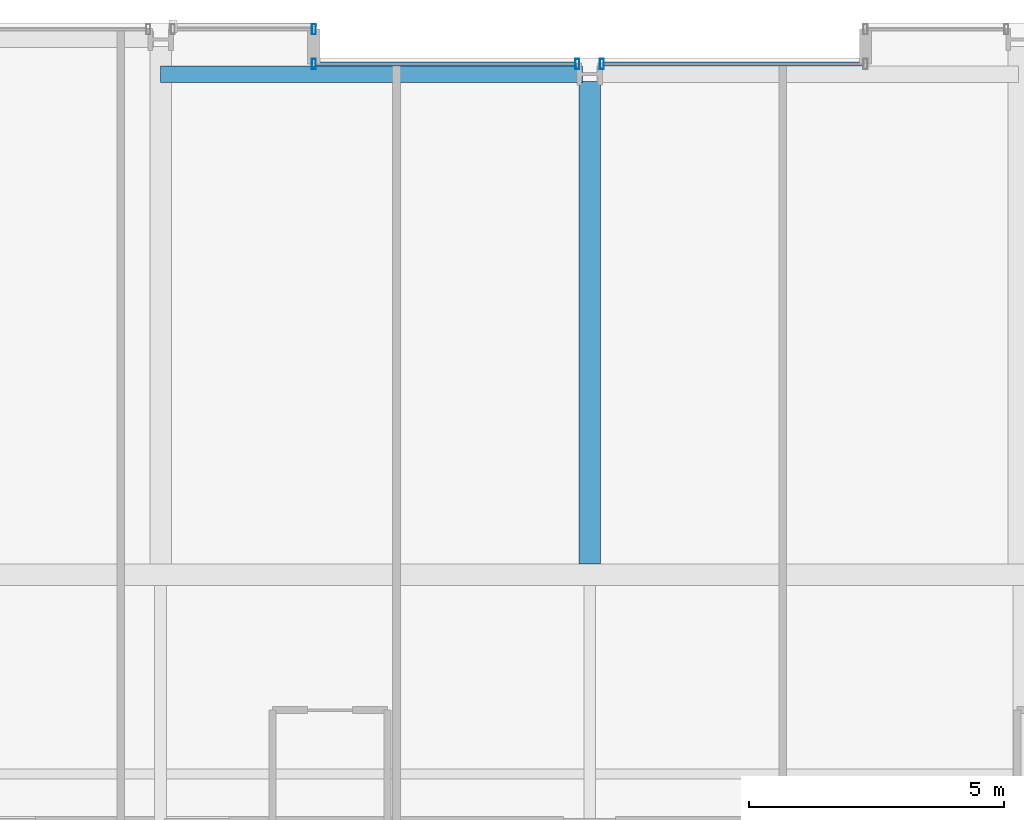
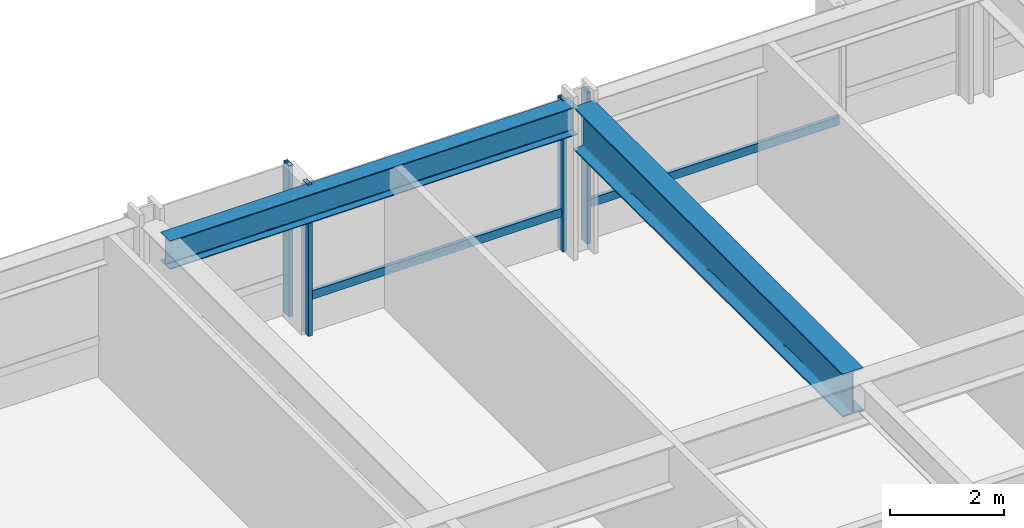
# One storey, part 23 of 39: 6 members, 2 beams, 3 elements without a shape of their own.
"""IFC4 building model written with IfcOpenShell, lengths in metres."""

from ifc_helpers import new_model, si_unit, direction, frame, origin, origin_2d, place, context, subcontext, project, spatial, hollow_rectangle, i_section, extrude, material, layer, layer_set, material_profile, profile_set, type_object, element, aggregate, save


model = new_model("IFC4")

# Units and contexts
model_context = context("Model", 3, precision=1e-05, world=origin(), true_north=direction((0.0, 1.0)))
body_context = subcontext(model_context, "Body", "Model", "MODEL_VIEW")
ifc_project = project(units=[si_unit("LENGTHUNIT", "METRE"), si_unit("AREAUNIT", "SQUARE_METRE"), si_unit("VOLUMEUNIT", "CUBIC_METRE"), si_unit("PLANEANGLEUNIT", "RADIAN"), si_unit("MASSUNIT", "GRAM", prefix="KILO")], contexts=[model_context])

# Site, building, storey
site_placement = place(None, origin())
site = spatial("IfcSite", under=ifc_project, at=site_placement, CompositionType="ELEMENT")
building_placement = place(site_placement, origin())
building = spatial("IfcBuilding", under=site, at=building_placement, Name="Drelvath Grand Hotel", CompositionType="ELEMENT")
storey_placement = place(building_placement, frame((0.0, 0.0, 54.199951171875)))
storey = spatial("IfcBuildingStorey", under=building, at=storey_placement, Name="L12", CompositionType="ELEMENT", Elevation=54.199951171875)

# Curtain wall, member
ifc_material_1 = material(Name="Warm Bronze Anodised Aluminium Frame", Category="aluminium")
ifc_layer = layer(ifc_material_1, 0.199951171875)
ifc_layer_set = layer_set([ifc_layer], Name="Warm Bronze Anodised Aluminium Frame")
curtain_wall_type = type_object("IfcCurtainWallType", Name="Stick Curtain Wall CW-02 Warm Bronze Low-Rise", PredefinedType="NOTDEFINED", material=ifc_layer_set)
curtain_wall_1_placement = place(storey_placement, origin())
curtain_wall_1 = element("IfcCurtainWall", 1, at=curtain_wall_1_placement, inside=storey, type_object=curtain_wall_type, Name="L12 CW-02 Curtain Wall CW02-L12-NM1", PredefinedType="NOTDEFINED")
ifc_material_profile_1 = material_profile(ifc_material_1, hollow_rectangle(XDim=0.074951171875, YDim=0.179931640625, WallThickness=0.0048828125, at=origin_2d()), Name="HSS180X75X5")
ifc_profile_set_1 = profile_set([ifc_material_profile_1], Name="Warm Bronze Anodised Aluminium Frame")
member_type_1 = type_object("IfcMemberType", Name="Curtain Wall Horizontal Transom CW-02 HSS180X75X5", PredefinedType="USERDEFINED", material=ifc_profile_set_1)
member_1_placement = place(storey_placement, frame((-5.360107421875, 53.199951171875, 0.81005859375), z_axis=(1.0, 0.0, 0.0), x_axis=(0.0, 1.0, 0.0)))
member_1 = element("IfcMember", 2, at=member_1_placement, type_object=member_type_1, Name="CW02-L12-NM1 Sill Transom", ObjectType="TRANSOM", PredefinedType="USERDEFINED", context=body_context, shape_type="SweptSolid", body=[
    extrude(hollow_rectangle(XDim=0.074951171875, YDim=0.179931640625, WallThickness=0.0048828125, at=origin_2d()), origin(), (0.0, 0.0, 1.0), 5.0791015625),
])

curtain_wall_2_placement = place(storey_placement, origin())
curtain_wall_2 = element("IfcCurtainWall", 3, at=curtain_wall_2_placement, inside=storey, type_object=curtain_wall_type, Name="L12 CW-02 Curtain Wall CW02-L12-NM2", PredefinedType="NOTDEFINED")
member_2_placement = place(storey_placement, frame((0.281005859375, 53.199951171875, 0.81005859375), z_axis=(1.0, 0.0, 0.0), x_axis=(0.0, 1.0, 0.0)))
member_2 = element("IfcMember", 4, at=member_2_placement, type_object=member_type_1, Name="CW02-L12-NM2 Sill Transom", ObjectType="TRANSOM", PredefinedType="USERDEFINED", context=body_context, shape_type="SweptSolid", body=[
    extrude(hollow_rectangle(XDim=0.074951171875, YDim=0.179931640625, WallThickness=0.0048828125, at=origin_2d()), origin(), (0.0, 0.0, 1.0), 5.0791015625),
])

curtain_wall_3_placement = place(storey_placement, origin())
curtain_wall_3 = element("IfcCurtainWall", 5, at=curtain_wall_3_placement, inside=storey, type_object=curtain_wall_type, Name="L12 CW-02 Curtain Wall CW02-L12-NW3", PredefinedType="NOTDEFINED")
ifc_material_profile_2 = material_profile(ifc_material_1, hollow_rectangle(XDim=0.080078125, YDim=0.199951171875, WallThickness=0.0048828125, at=origin_2d()), Name="HSS200X80X5")
ifc_profile_set_2 = profile_set([ifc_material_profile_2], Name="Warm Bronze Anodised Aluminium Frame")
member_type_2 = type_object("IfcMemberType", Name="Curtain Wall Vertical Mullion CW-02 HSS200X80X5", PredefinedType="MULLION", material=ifc_profile_set_2)
member_3_placement = place(storey_placement, frame((-5.39990234375, 53.8798828125, 0.0), z_axis=(0.0, 0.0, 1.0), x_axis=(1.0, 0.0, 0.0)))
member_3 = element("IfcMember", 6, at=member_3_placement, type_object=member_type_2, Name="CW02-L12-NW3 Mullion 2", PredefinedType="MULLION", context=body_context, shape_type="SweptSolid", body=[
    extrude(hollow_rectangle(XDim=0.080078125, YDim=0.199951171875, WallThickness=0.0048828125, at=origin_2d()), origin(), (0.0, 0.0, 1.0), 3.239990234375),
])
aggregate(curtain_wall_3, [member_3])

# Member
member_4_placement = place(storey_placement, frame((-5.39990234375, 53.199951171875, 0.0), z_axis=(0.0, 0.0, 1.0), x_axis=(1.0, 0.0, 0.0)))
member_4 = element("IfcMember", 7, at=member_4_placement, type_object=member_type_2, Name="CW02-L12-NM1 Mullion 1", PredefinedType="MULLION", context=body_context, shape_type="SweptSolid", body=[
    extrude(hollow_rectangle(XDim=0.080078125, YDim=0.199951171875, WallThickness=0.0048828125, at=origin_2d()), origin(), (0.0, 0.0, 1.0), 3.239990234375),
])

member_5_placement = place(storey_placement, frame((-0.240966796875, 53.199951171875, 0.0), z_axis=(0.0, 0.0, 1.0), x_axis=(1.0, 0.0, 0.0)))
member_5 = element("IfcMember", 8, at=member_5_placement, type_object=member_type_2, Name="CW02-L12-NM1 Mullion 2", PredefinedType="MULLION", context=body_context, shape_type="SweptSolid", body=[
    extrude(hollow_rectangle(XDim=0.080078125, YDim=0.199951171875, WallThickness=0.0048828125, at=origin_2d()), origin(), (0.0, 0.0, 1.0), 3.239990234375),
])

aggregate(curtain_wall_1, [member_4, member_5, member_1])

member_6_placement = place(storey_placement, frame((0.240966796875, 53.199951171875, 0.0), z_axis=(0.0, 0.0, 1.0), x_axis=(1.0, 0.0, 0.0)))
member_6 = element("IfcMember", 9, at=member_6_placement, type_object=member_type_2, Name="CW02-L12-NM2 Mullion 1", PredefinedType="MULLION", context=body_context, shape_type="SweptSolid", body=[
    extrude(hollow_rectangle(XDim=0.080078125, YDim=0.199951171875, WallThickness=0.0048828125, at=origin_2d()), origin(), (0.0, 0.0, 1.0), 3.239990234375),
])

aggregate(curtain_wall_2, [member_6, member_2])

# Beams
ifc_material_2 = material(Name="Steel ASTM A992 Gr 50", Category="steel")
ifc_material_profile_3 = material_profile(ifc_material_2, i_section(OverallWidth=0.323974609375, OverallDepth=0.611083984375, WebThickness=0.0126953125, FlangeThickness=0.01904296875, FilletRadius=0.02197265625, at=origin_2d()), Name="W24X104")
ifc_profile_set_3 = profile_set([ifc_material_profile_3], Name="Steel ASTM A992 Gr 50")
beam_type_1 = type_object("IfcBeamType", Name="Perimeter Spandrel Beam W24X104", PredefinedType="SPANDREL", material=ifc_profile_set_3)
beam_1_placement = place(storey_placement, frame((-8.39990234375, 53.0, 2.9345703125), z_axis=(1.0, 0.0, 0.0), x_axis=(0.0, 1.0, 0.0)))
element("IfcBeam", 10, at=beam_1_placement, inside=storey, type_object=beam_type_1, Name="L12 Spandrel North Mid W", PredefinedType="SPANDREL", context=body_context, shape_type="SweptSolid", body=[
    extrude(i_section(OverallWidth=0.323974609375, OverallDepth=0.611083984375, WebThickness=0.0126953125, FlangeThickness=0.01904296875, FilletRadius=0.02197265625, at=origin_2d()), origin(), (0.0, 0.0, 1.0), 8.260009765625),
])
ifc_material_profile_4 = material_profile(ifc_material_2, i_section(OverallWidth=0.418212890625, OverallDepth=0.926513671875, WebThickness=0.019287109375, FlangeThickness=0.031982421875, FilletRadius=0.028076171875, at=origin_2d()), Name="W36X231")
ifc_profile_set_4 = profile_set([ifc_material_profile_4], Name="Steel ASTM A992 Gr 50")
beam_type_2 = type_object("IfcBeamType", Name="Primary Floor Girder W36X231", PredefinedType="BEAM", material=ifc_profile_set_4)
beam_2_placement = place(storey_placement, frame((0.0, 43.4091796875, 2.77685546875), z_axis=(0.0, 1.0, 0.0), x_axis=(-1.0, 0.0, 0.0)))
element("IfcBeam", 11, at=beam_2_placement, inside=storey, type_object=beam_type_2, Name="L12 North Wing Girder 5", PredefinedType="BEAM", context=body_context, shape_type="SweptSolid", body=[
    extrude(i_section(OverallWidth=0.418212890625, OverallDepth=0.926513671875, WebThickness=0.019287109375, FlangeThickness=0.031982421875, FilletRadius=0.028076171875, at=origin_2d()), origin(), (0.0, 0.0, 1.0), 9.450927734375),
])

save(model, "model.ifc")
